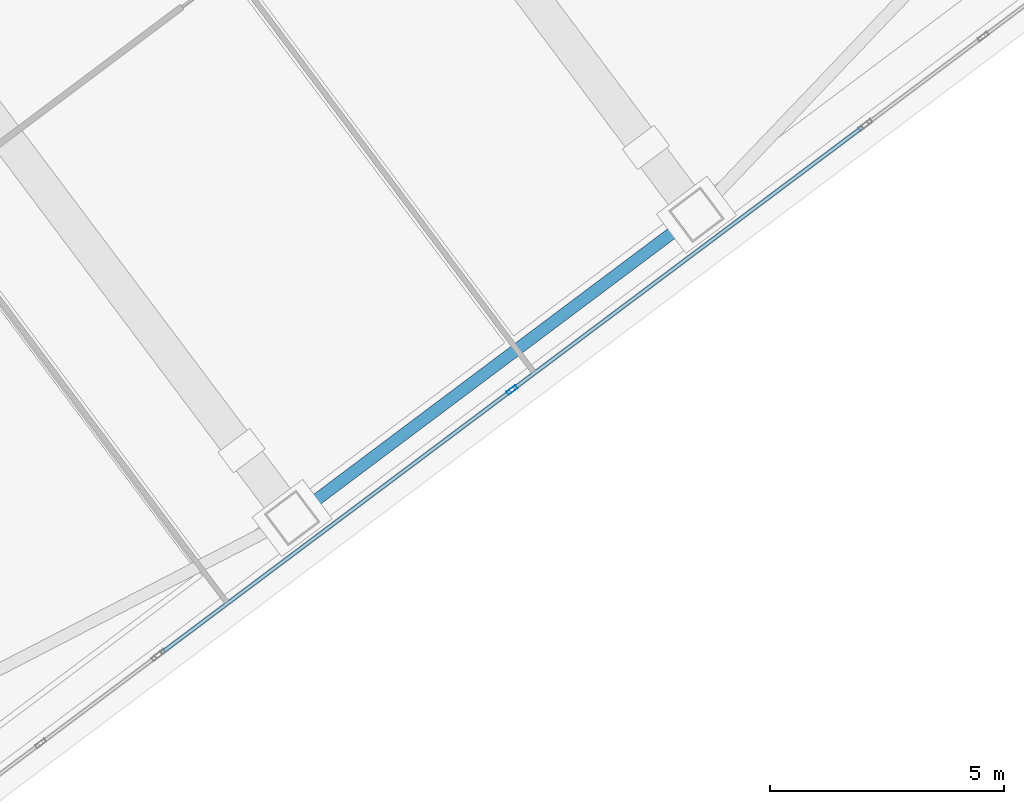
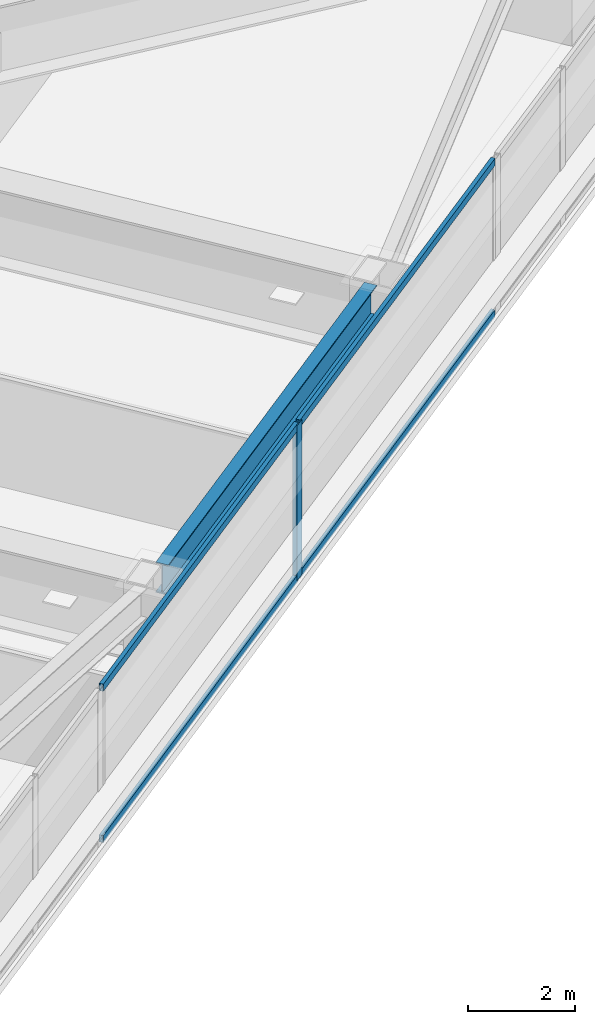
# One storey, part 26 of 48: 5 members, 1 beam, 1 element without a shape of its own.
"""IFC4 building model written with IfcOpenShell, lengths in metres."""

from ifc_helpers import new_model, si_unit, direction, frame, origin, origin_2d, place, context, subcontext, project, spatial, hollow_rectangle, i_section, extrude, material, material_profile, profile_set, type_object, element, aggregate, save


model = new_model("IFC4")

# Units and contexts
model_context = context("Model", 3, precision=1e-05, world=origin(), true_north=direction((0.0, 1.0)))
body_context = subcontext(model_context, "Body", "Model", "MODEL_VIEW")
ifc_project = project(units=[si_unit("LENGTHUNIT", "METRE"), si_unit("AREAUNIT", "SQUARE_METRE"), si_unit("VOLUMEUNIT", "CUBIC_METRE"), si_unit("PLANEANGLEUNIT", "RADIAN"), si_unit("MASSUNIT", "GRAM", prefix="KILO")], contexts=[model_context])

# Site, building, storey
site_placement = place(None, origin())
site = spatial("IfcSite", under=ifc_project, at=site_placement, CompositionType="ELEMENT")
building_placement = place(site_placement, origin())
building = spatial("IfcBuilding", under=site, at=building_placement, Name="Tashvorn Skyway Center", CompositionType="ELEMENT")
storey_placement = place(building_placement, frame((0.0, 0.0, 63.64990234375)))
storey = spatial("IfcBuildingStorey", under=building, at=storey_placement, Name="L16", CompositionType="ELEMENT", Elevation=63.64990234375)

# Beam
ifc_material_1 = material(Name="Steel ASTM A992 Grade 50", Category="steel")
ifc_material_profile_1 = material_profile(ifc_material_1, i_section(OverallWidth=0.256103515625, OverallDepth=0.693115234375, WebThickness=0.014404296875, FlangeThickness=0.023681640625, at=origin_2d()), Name="W27X114")
ifc_profile_set_1 = profile_set([ifc_material_profile_1], Name="Steel ASTM A992 Grade 50")
beam_type = type_object("IfcBeamType", Name="BM-SPANDREL-W27X114", PredefinedType="SPANDREL", material=ifc_profile_set_1)
beam_placement = place(storey_placement, frame((122.64599609375, 12.172119140625, 3.003662109375), z_axis=(0.800008824351, 0.599988234018, 0.0), x_axis=(-0.599988234018, 0.800008824351, 0.0)))
element("IfcBeam", 1, at=beam_placement, inside=storey, type_object=beam_type, Name="Tower 2 L16 Spandrel Beam 02", PredefinedType="SPANDREL", context=body_context, shape_type="SweptSolid", body=[
    extrude(i_section(OverallWidth=0.256103515625, OverallDepth=0.693115234375, WebThickness=0.014404296875, FlangeThickness=0.023681640625, at=origin_2d()), origin(), (0.0, 0.0, 1.0), 9.9599609375),
])

# Curtain wall, members
ifc_material_2 = material(Name="Thermally broken bronze-anodized aluminium 6063-T6", Category="aluminium")
curtain_wall_type = type_object("IfcCurtainWallType", Name="CW-CW-Z1", PredefinedType="NOTDEFINED", material=ifc_material_2)
curtain_wall_placement = place(storey_placement, origin())
curtain_wall = element("IfcCurtainWall", 2, at=curtain_wall_placement, inside=storey, type_object=curtain_wall_type, Name="Tower 2 L16 South Unitised Curtain Wall Glazing Group 2", PredefinedType="NOTDEFINED")
ifc_material_profile_2 = material_profile(ifc_material_2, hollow_rectangle(XDim=0.0849609375, YDim=0.239990234375, WallThickness=0.0048828125, at=origin_2d()), Name="ALU-MULL-85x240")
ifc_profile_set_2 = profile_set([ifc_material_profile_2], Name="Thermally broken bronze-anodized aluminium 6063-T6")
member_type_1 = type_object("IfcMemberType", Name="CWM-CW-Z1", PredefinedType="MULLION", material=ifc_profile_set_2)
member_1_placement = place(storey_placement, frame((127.008056640625, 14.656005859375, 0.0), z_axis=(0.0, 0.0, 1.0), x_axis=(0.600000000002, -0.799999999998, 0.0)))
member_1 = element("IfcMember", 3, at=member_1_placement, type_object=member_type_1, Name="CW-Z1 mullion 2", PredefinedType="MULLION", context=body_context, shape_type="SweptSolid", body=[
    extrude(hollow_rectangle(XDim=0.0849609375, YDim=0.239990234375, WallThickness=0.0048828125, at=origin_2d()), origin(), (0.0, 0.0, 1.0), 3.550048828125),
])
ifc_material_profile_3 = material_profile(ifc_material_2, hollow_rectangle(XDim=0.0849609375, YDim=0.1650390625, WallThickness=0.0048828125, at=origin_2d()), Name="ALU-TRAN-85x165")
ifc_profile_set_3 = profile_set([ifc_material_profile_3], Name="Thermally broken bronze-anodized aluminium 6063-T6")
member_type_2 = type_object("IfcMemberType", Name="CWT-CW-Z1", PredefinedType="USERDEFINED", material=ifc_profile_set_3)
member_2_placement = place(storey_placement, frame((134.491943359375, 20.26904296875, 0.04248046875), z_axis=(-0.799990562031, -0.600012583752, 0.0), x_axis=(0.600012583752, -0.799990562031, 0.0)))
member_2 = element("IfcMember", 4, at=member_2_placement, type_object=member_type_2, Name="CW-Z1 transom 1.1", ObjectType="TRANSOM", PredefinedType="USERDEFINED", context=body_context, shape_type="SweptSolid", body=[
    extrude(hollow_rectangle(XDim=0.0849609375, YDim=0.1650390625, WallThickness=0.0048828125, at=origin_2d()), origin(), (0.0, 0.0, 1.0), 9.3125),
])
member_3_placement = place(storey_placement, frame((134.491943359375, 20.26904296875, 3.507568359375), z_axis=(-0.799990562031, -0.600012583752, 0.0), x_axis=(0.600012583752, -0.799990562031, 0.0)))
member_3 = element("IfcMember", 5, at=member_3_placement, type_object=member_type_2, Name="CW-Z1 transom 1.2", ObjectType="TRANSOM", PredefinedType="USERDEFINED", context=body_context, shape_type="SweptSolid", body=[
    extrude(hollow_rectangle(XDim=0.0849609375, YDim=0.1650390625, WallThickness=0.0048828125, at=origin_2d()), origin(), (0.0, 0.0, 1.0), 9.3125),
])
member_4_placement = place(storey_placement, frame((126.97412109375, 14.630615234375, 0.04248046875), z_axis=(-0.8, -0.6, 0.0), x_axis=(0.6, -0.8, 0.0)))
member_4 = element("IfcMember", 6, at=member_4_placement, type_object=member_type_2, Name="CW-Z1 transom 2.1", ObjectType="TRANSOM", PredefinedType="USERDEFINED", context=body_context, shape_type="SweptSolid", body=[
    extrude(hollow_rectangle(XDim=0.0849609375, YDim=0.1650390625, WallThickness=0.0048828125, at=origin_2d()), origin(), (0.0, 0.0, 1.0), 9.312744140625),
])
member_5_placement = place(storey_placement, frame((126.97412109375, 14.630615234375, 3.507568359375), z_axis=(-0.8, -0.6, 0.0), x_axis=(0.6, -0.8, 0.0)))
member_5 = element("IfcMember", 7, at=member_5_placement, type_object=member_type_2, Name="CW-Z1 transom 2.2", ObjectType="TRANSOM", PredefinedType="USERDEFINED", context=body_context, shape_type="SweptSolid", body=[
    extrude(hollow_rectangle(XDim=0.0849609375, YDim=0.1650390625, WallThickness=0.0048828125, at=origin_2d()), origin(), (0.0, 0.0, 1.0), 9.312744140625),
])
aggregate(curtain_wall, [member_1, member_2, member_3, member_4, member_5])

save(model, "model.ifc")
